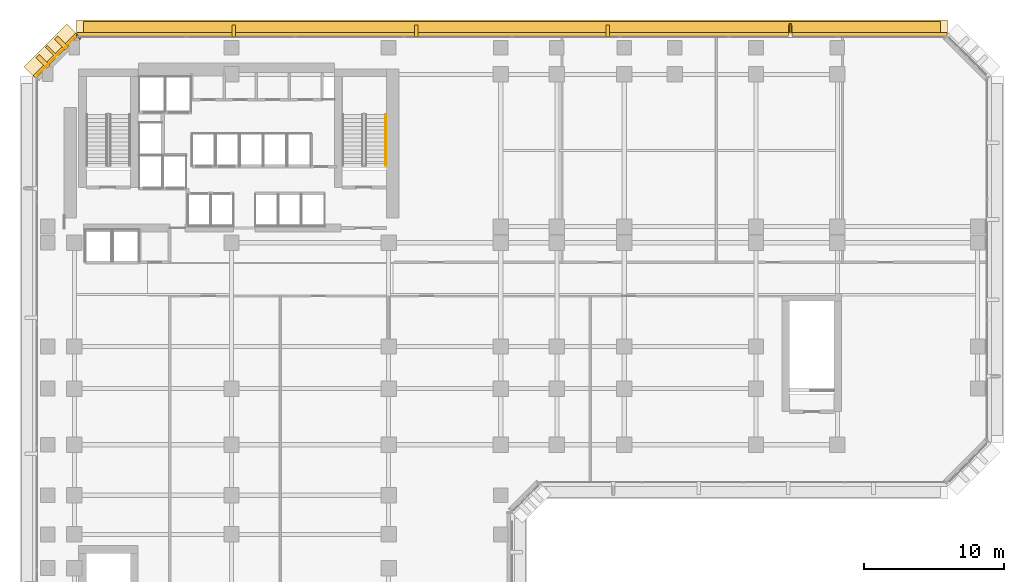
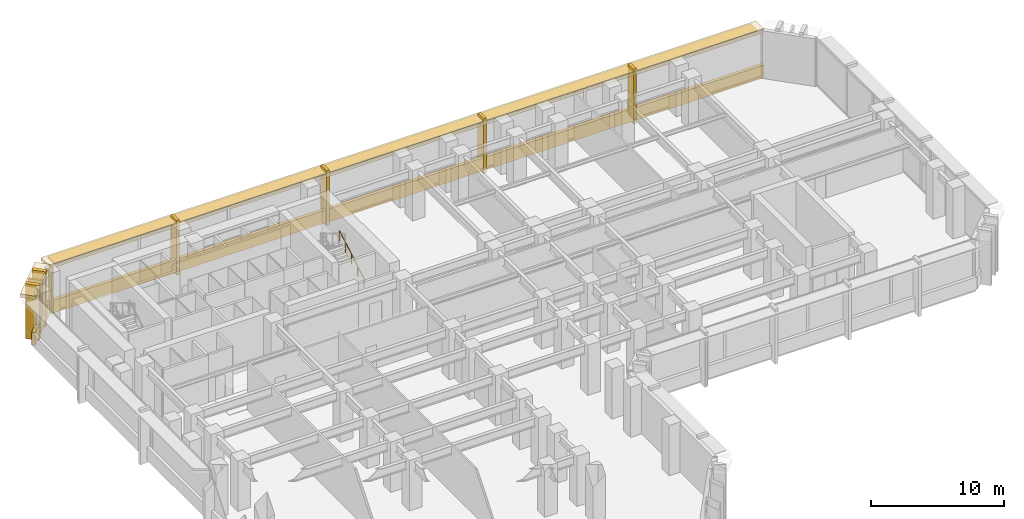
# One storey, part 13 of 14: 12 coverings, 3 shading devices, 1 railing.
"""IFC4 building model written with IfcOpenShell, lengths in metres."""

from ifc_helpers import new_model, si_unit, direction, frame, origin, origin_2d, place, context, subcontext, project, spatial, rectangle, circle, extrude, material, layer, layer_set, material_profile, profile_set, type_object, element, save


model = new_model("IFC4")

# Units and contexts
model_context = context("Model", 3, precision=1e-05, world=origin(), true_north=direction((0.0, 1.0)))
body_context = subcontext(model_context, "Body", "Model", "MODEL_VIEW")
ifc_project = project(units=[si_unit("LENGTHUNIT", "METRE"), si_unit("AREAUNIT", "SQUARE_METRE"), si_unit("VOLUMEUNIT", "CUBIC_METRE"), si_unit("PLANEANGLEUNIT", "RADIAN"), si_unit("MASSUNIT", "GRAM", prefix="KILO")], contexts=[model_context])

# Site, building, storey
site_placement = place(None, origin())
site = spatial("IfcSite", under=ifc_project, at=site_placement, CompositionType="ELEMENT")
building_placement = place(site_placement, origin())
building = spatial("IfcBuilding", under=site, at=building_placement, Name="Kefirva Bronze Tower", CompositionType="ELEMENT")
storey_placement = place(building_placement, frame((0.0, 0.0, 25.739990234375)))
storey = spatial("IfcBuildingStorey", under=building, at=storey_placement, Name="L05", CompositionType="ELEMENT", Elevation=25.739990234375)

# Coverings
ifc_material_1 = material(Name="Bronze anodised aluminium", Category="aluminium")
ifc_layer_1 = layer(ifc_material_1, 0.02001953125, Name="Bronze anodised aluminium")
ifc_layer_set_1 = layer_set([ifc_layer_1], Name="Bronze anodised aluminium")
covering_type_1 = type_object("IfcCoveringType", Name="Anodised Bronze Spandrel Cladding 20mm", PredefinedType="CLADDING", material=ifc_layer_set_1)
covering_1_placement = place(storey_placement, frame((32.0, 48.0400390625, -0.16015625), z_axis=(0.0, 0.0, 1.0), x_axis=(-1.0, 0.0, 0.0)))
element("IfcCovering", 1, at=covering_1_placement, inside=storey, type_object=covering_type_1, Name="L05 Streamline Horizontal Spandrel Band 8", PredefinedType="CLADDING", context=body_context, shape_type="SweptSolid", body=[
    extrude(rectangle(XDim=62.0400390625, YDim=0.280029296875, at=origin_2d()), origin(), (0.0, 0.0, 1.0), 1.179931640625),
])
covering_2_placement = place(storey_placement, frame((-0.507080078125, 46.507080078125, 3.949951171875), z_axis=(0.0, 0.0, 1.0), x_axis=(-0.707106781187, -0.707106781187, 0.0)))
element("IfcCovering", 2, at=covering_2_placement, inside=storey, type_object=covering_type_1, Name="L05 Bronze Spandrel Cladding 6", PredefinedType="CLADDING", context=body_context, shape_type="SweptSolid", body=[
    extrude(rectangle(XDim=3.719482421875, YDim=0.02001953125, at=origin_2d()), origin(), (0.0, 0.0, 1.0), 0.39990234375),
])
covering_3_placement = place(storey_placement, frame((1.1025390625, 47.847900390625, 0.0), z_axis=(0.0, 0.0, 1.0), x_axis=(-0.707106781187, -0.707106781187, 0.0)))
element("IfcCovering", 3, at=covering_3_placement, inside=storey, type_object=covering_type_1, Name="L05 Facade Joint Closure Panel 6S", PredefinedType="CLADDING", context=body_context, shape_type="SweptSolid", body=[
    extrude(rectangle(XDim=0.10009765625, YDim=0.360107421875, at=origin_2d()), origin(), (0.0, 0.0, 1.0), 4.3701171875),
])
covering_4_placement = place(storey_placement, frame((-0.5283203125, 46.5283203125, -0.16015625), z_axis=(0.0, 0.0, 1.0), x_axis=(-0.707106781187, -0.707106781187, 0.0)))
element("IfcCovering", 4, at=covering_4_placement, inside=storey, type_object=covering_type_1, Name="L05 Streamline Horizontal Spandrel Band 9", PredefinedType="CLADDING", context=body_context, shape_type="SweptSolid", body=[
    extrude(rectangle(XDim=4.28271484375, YDim=0.280029296875, at=origin_2d()), origin(), (0.0, 0.0, 1.0), 1.179931640625),
])

# Shading devices
ifc_material_profile_1 = material_profile(ifc_material_1, rectangle(XDim=0.179931640625, YDim=1.080078125, at=origin_2d()), Name="BRONZE BUTTRESS FIN 180x1080")
ifc_profile_set_1 = profile_set([ifc_material_profile_1], Name="Bronze anodised aluminium")
shading_device_type_1 = type_object("IfcShadingDeviceType", Name="Chamfered Corner Buttress Bronze Fin 1080mm", PredefinedType="USERDEFINED", material=ifc_profile_set_1)
shading_device_1_placement = place(storey_placement, frame((-0.8251953125, 46.8251953125, -0.139892578125), z_axis=(0.0, 0.0, 1.0), x_axis=(-0.707106781187, -0.707106781187, 0.0)))
element("IfcShadingDevice", 5, at=shading_device_1_placement, inside=storey, type_object=shading_device_type_1, Name="L05 Chamfered Corner Buttress Fin 28", ObjectType="VERTICAL FIN", PredefinedType="USERDEFINED", context=body_context, shape_type="SweptSolid", body=[
    extrude(rectangle(XDim=0.179931640625, YDim=1.080078125, at=origin_2d()), origin(), (0.0, 0.0, 1.0), 4.510009765625),
])
ifc_layer_2 = layer(ifc_material_1, 0.1201171875, Name="Bronze anodised aluminium")
ifc_layer_set_2 = layer_set([ifc_layer_2], Name="Bronze anodised aluminium")
shading_device_type_2 = type_object("IfcShadingDeviceType", Name="Podium Deep Bronze Canopy Sunshade 1050mm", PredefinedType="JALOUSIE", material=ifc_layer_set_2)
shading_device_2_placement = place(storey_placement, frame((32.0, 48.445068359375, 4.26513671875), z_axis=(0.0, 0.0, 1.0), x_axis=(-1.0, 0.0, 0.0)))
element("IfcShadingDevice", 6, at=shading_device_2_placement, inside=storey, type_object=shading_device_type_2, Name="L05 Horizontal Bronze Sunshade Band 8", PredefinedType="JALOUSIE", context=body_context, shape_type="SweptSolid", body=[
    extrude(rectangle(XDim=61.090087890625, YDim=1.050048828125, at=origin_2d()), origin(), (0.0, 0.0, 1.0), 0.090087890625),
])

# Railing
ifc_material_2 = material(Name="Stainless steel 316", Category="steel")
railing_type = type_object("IfcRailingType", Name="Stair Pitch Handrail 900mm", PredefinedType="HANDRAIL", material=ifc_material_2)
railing_placement = place(storey_placement, frame((23.0, 38.699951171875, 0.1650390625)))
element("IfcRailing", 7, at=railing_placement, inside=storey, type_object=railing_type, Name="L05 ST-2 stair handrail 1", PredefinedType="HANDRAIL", context=body_context, shape_type="SweptSolid", body=[
    extrude(circle(Radius=0.02392578125, at=origin_2d()), frame((0.0, 0.0, 0.8759765625), z_axis=(0.0, 0.861544779993, 0.507681585313), x_axis=(-1.0, 0.0, 0.0)), (0.0, 0.0, 1.0), 4.22509765625),
    extrude(circle(Radius=0.02099609375, at=origin_2d()), origin(), (0.0, 0.0, 1.0), 0.851806640625),
    extrude(circle(Radius=0.02099609375, at=origin_2d()), frame((0.0, 0.91015625, 0.5361328125)), (0.0, 0.0, 1.0), 0.851806640625),
    extrude(circle(Radius=0.02099609375, at=origin_2d()), frame((0.0, 1.820068359375, 1.072509765625)), (0.0, 0.0, 1.0), 0.851806640625),
    extrude(circle(Radius=0.02099609375, at=origin_2d()), frame((0.0, 2.72998046875, 1.60888671875)), (0.0, 0.0, 1.0), 0.851806640625),
    extrude(circle(Radius=0.02099609375, at=origin_2d()), frame((0.0, 3.64013671875, 2.14501953125)), (0.0, 0.0, 1.0), 0.851806640625),
])

# Coverings
ifc_layer_3 = layer(ifc_material_1, 0.179931640625, Name="Bronze anodised aluminium")
ifc_layer_set_3 = layer_set([ifc_layer_3], Name="Bronze anodised aluminium")
covering_type_2 = type_object("IfcCoveringType", Name="Streamline Bronze Sunshade Eyebrow Cladding 180mm", PredefinedType="CLADDING", material=ifc_layer_set_3)
covering_5_placement = place(storey_placement, frame((32.0, 48.4599609375, 4.0498046875), z_axis=(0.0, 0.0, 1.0), x_axis=(-1.0, 0.0, 0.0)))
element("IfcCovering", 8, at=covering_5_placement, inside=storey, type_object=covering_type_2, Name="L05 Streamline Bronze Sunshade Eyebrow 8", PredefinedType="CLADDING", context=body_context, shape_type="SweptSolid", body=[
    extrude(rectangle(XDim=62.080078125, YDim=1.239990234375, at=origin_2d()), origin(), (0.0, 0.0, 1.0), 0.320068359375),
])
covering_6_placement = place(storey_placement, frame((-0.8251953125, 46.8251953125, 4.0498046875), z_axis=(0.0, 0.0, 1.0), x_axis=(-0.707106781187, -0.707106781187, 0.0)))
element("IfcCovering", 9, at=covering_6_placement, inside=storey, type_object=covering_type_2, Name="L05 Streamline Bronze Sunshade Eyebrow 9", PredefinedType="CLADDING", context=body_context, shape_type="SweptSolid", body=[
    extrude(rectangle(XDim=4.322509765625, YDim=1.239990234375, at=origin_2d()), origin(), (0.0, 0.0, 1.0), 0.320068359375),
])
ifc_layer_4 = layer(ifc_material_1, 0.260009765625, Name="Bronze anodised aluminium")
ifc_layer_set_4 = layer_set([ifc_layer_4], Name="Bronze anodised aluminium")
covering_type_3 = type_object("IfcCoveringType", Name="Unbroken Bronze Buttress Fin Cladding 260mm", PredefinedType="CLADDING", material=ifc_layer_set_4)
for number, where, z_axis, x_axis, name in (
    (10, (51.840087890625, 48.300048828125, -0.419921875), (0.0, 0.0, 1.0), (-1.0, 0.0, 0.0), "L05 Unbroken Vertical Bronze Rib Fin 23"),
    (11, (38.820068359375, 48.300048828125, -0.419921875), (0.0, 0.0, 1.0), (-1.0, 0.0, 0.0), "L05 Unbroken Vertical Bronze Rib Fin 24"),
    (12, (25.179931640625, 48.300048828125, -0.419921875), (0.0, 0.0, 1.0), (-1.0, 0.0, 0.0), "L05 Unbroken Vertical Bronze Rib Fin 25"),
    (13, (12.159912109375, 48.300048828125, -0.419921875), (0.0, 0.0, 1.0), (-1.0, 0.0, 0.0), "L05 Unbroken Vertical Bronze Rib Fin 26"),
):
    element("IfcCovering", number, at=place(storey_placement, frame(where, z_axis=z_axis, x_axis=x_axis)), inside=storey, type_object=covering_type_3, Name=name, PredefinedType="CLADDING", context=body_context, shape_type="SweptSolid", body=[
        extrude(rectangle(XDim=0.260009765625, YDim=0.8798828125, at=origin_2d()), origin(), (0.0, 0.0, 1.0), 5.0400390625),
    ])
for number, where, z_axis, x_axis, name in (
    (14, (-0.122802734375, 47.44287109375, -0.419921875), (0.0, 0.0, 1.0), (-0.707106781187, -0.707106781187, 0.0), "L05 Chamfered Corner Buttress Fin Cladding 27"),
    (15, (-1.44287109375, 46.122802734375, -0.419921875), (0.0, 0.0, 1.0), (-0.707106781187, -0.707106781187, 0.0), "L05 Chamfered Corner Buttress Fin Cladding 28"),
):
    element("IfcCovering", number, at=place(storey_placement, frame(where, z_axis=z_axis, x_axis=x_axis)), inside=storey, type_object=covering_type_3, Name=name, PredefinedType="CLADDING", context=body_context, shape_type="SweptSolid", body=[
        extrude(rectangle(XDim=0.340087890625, YDim=1.080078125, at=origin_2d()), origin(), (0.0, 0.0, 1.0), 5.0400390625),
    ])

# Shading device
ifc_material_profile_2 = material_profile(ifc_material_1, rectangle(XDim=0.139892578125, YDim=0.8798828125, at=origin_2d()), Name="BRONZE FIN 140x880")
ifc_profile_set_2 = profile_set([ifc_material_profile_2], Name="Bronze anodised aluminium")
shading_device_type_3 = type_object("IfcShadingDeviceType", Name="Unbroken Vertical Bronze Facade Fin 880mm", PredefinedType="USERDEFINED", material=ifc_profile_set_2)
shading_device_3_placement = place(storey_placement, frame((51.840087890625, 48.360107421875, -0.139892578125), z_axis=(0.0, 0.0, 1.0), x_axis=(-1.0, 0.0, 0.0)))
element("IfcShadingDevice", 16, at=shading_device_3_placement, inside=storey, type_object=shading_device_type_3, Name="L05 Vertical Bronze Rib Fin 23", ObjectType="VERTICAL FIN", PredefinedType="USERDEFINED", context=body_context, shape_type="SweptSolid", body=[
    extrude(rectangle(XDim=0.139892578125, YDim=0.8798828125, at=origin_2d()), origin(), (0.0, 0.0, 1.0), 4.510009765625),
])

save(model, "model.ifc")
